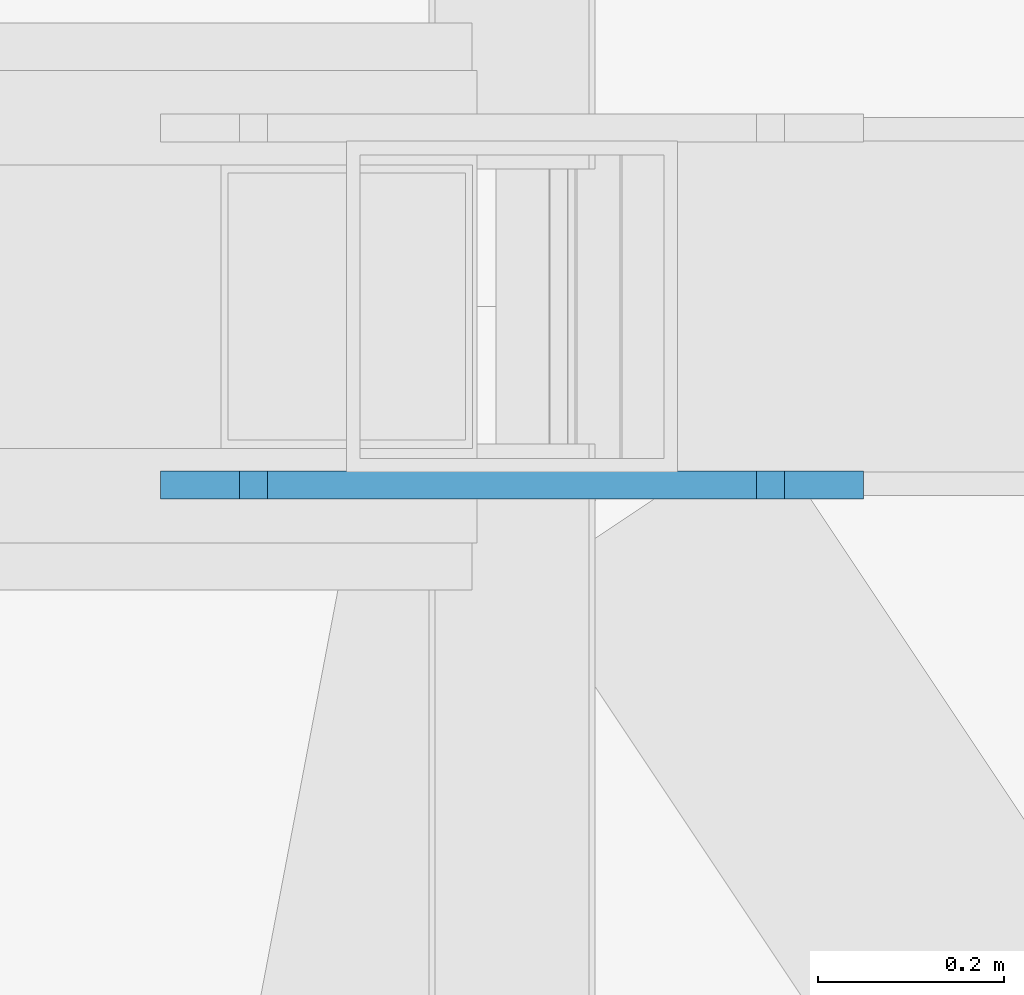
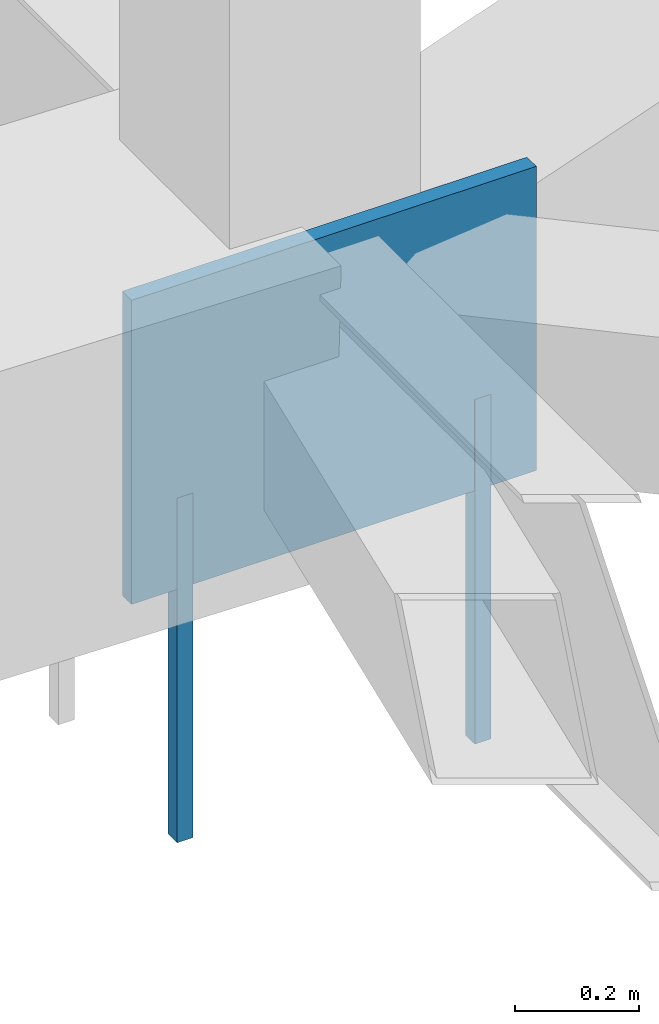
# One storey, part 192 of 278: 2 mechanical fasteners, 1 discrete accessory.
"""IFC4 building model written with IfcOpenShell, lengths in metres."""

from ifc_helpers import new_model, si_unit, direction, frame, origin, origin_2d, place, context, subcontext, project, spatial, rectangle, extrude, material, layer, layer_set, type_object, element, save


model = new_model("IFC4")

# Units and contexts
model_context = context("Model", 3, precision=1e-05, world=origin(), true_north=direction((0.0, 1.0)))
body_context = subcontext(model_context, "Body", "Model", "MODEL_VIEW")
ifc_project = project(units=[si_unit("LENGTHUNIT", "METRE"), si_unit("AREAUNIT", "SQUARE_METRE"), si_unit("VOLUMEUNIT", "CUBIC_METRE"), si_unit("PLANEANGLEUNIT", "RADIAN"), si_unit("MASSUNIT", "GRAM", prefix="KILO")], contexts=[model_context])

# Site, building, storey
site_placement = place(None, origin())
site = spatial("IfcSite", under=ifc_project, at=site_placement, CompositionType="ELEMENT")
building_placement = place(site_placement, origin())
building = spatial("IfcBuilding", under=site, at=building_placement, Name="Ogive Plaza Stadium", CompositionType="ELEMENT")
storey_placement = place(building_placement, frame((0.0, 0.0, 29.0)))
storey = spatial("IfcBuildingStorey", under=building, at=storey_placement, Name="Roof", CompositionType="ELEMENT", Elevation=29.0)

# Mechanical fasteners
ifc_material_1 = material(Name="Steel ASTM A992 Grade 50", Category="steel")
mechanical_fastener_type = type_object("IfcMechanicalFastenerType", Name="Anchor bolt M30 x 600", PredefinedType="ANCHORBOLT", material=ifc_material_1)
for number, where, z_axis, x_axis, name in (
    (1, (74.27783203125, -7.69189453125, -0.5), (0.0, 0.0, 1.0), (1.0, 0.0, 0.0), "ANCHOR BOLT 05 BP 2.1"),
    (2, (73.72216796875, -7.69189453125, -0.5), (0.0, 0.0, 1.0), (1.0, 0.0, 0.0), "ANCHOR BOLT 05 BP 2.2"),
):
    element("IfcMechanicalFastener", number, at=place(storey_placement, frame(where, z_axis=z_axis, x_axis=x_axis)), inside=storey, type_object=mechanical_fastener_type, Name=name, PredefinedType="ANCHORBOLT", context=body_context, shape_type="SweptSolid", body=[
        extrude(rectangle(XDim=0.030029296875, YDim=0.030029296875, at=origin_2d()), origin(), (0.0, 0.0, 1.0), 0.679931640625),
    ])

# Discrete accessory
ifc_material_2 = material(Name="Steel ASTM A992 Grade 50", Category="steel")
ifc_layer = layer(ifc_material_2, 0.030029296875)
ifc_layer_set = layer_set([ifc_layer], Name="Steel ASTM A992 Grade 50")
discrete_accessory_type = type_object("IfcDiscreteAccessoryType", Name="Truss root foot cleat plate 30", PredefinedType="ANCHORPLATE", material=ifc_layer_set)
discrete_accessory_placement = place(storey_placement, frame((74.0, -7.69189453125, 0.0), z_axis=(0.0, 0.0, 1.0), x_axis=(1.0, 0.0, 0.0)))
element("IfcDiscreteAccessory", 3, at=discrete_accessory_placement, inside=storey, type_object=discrete_accessory_type, Name="TRUSS ROOT FOOT CLEAT PLATE 05 2", PredefinedType="ANCHORPLATE", context=body_context, shape_type="SweptSolid", body=[
    extrude(rectangle(XDim=0.755615234375, YDim=0.030029296875, at=origin_2d()), origin(), (0.0, 0.0, 1.0), 0.60009765625),
])

save(model, "model.ifc")
